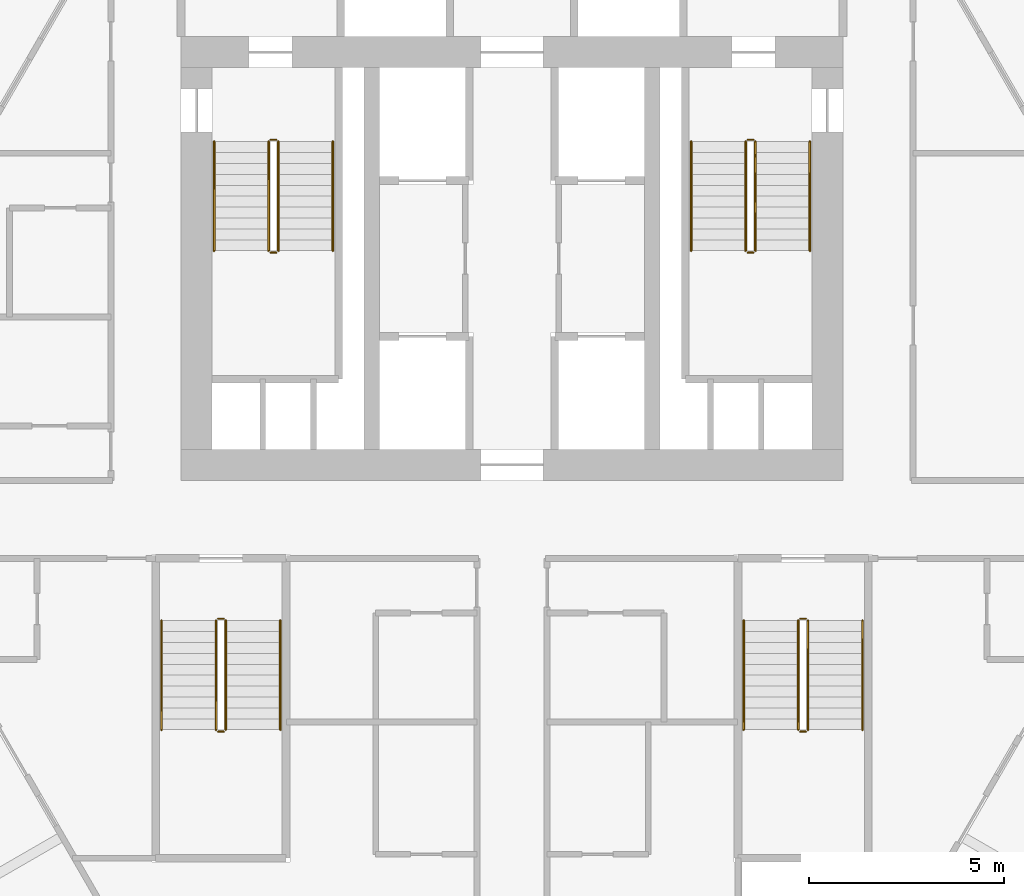
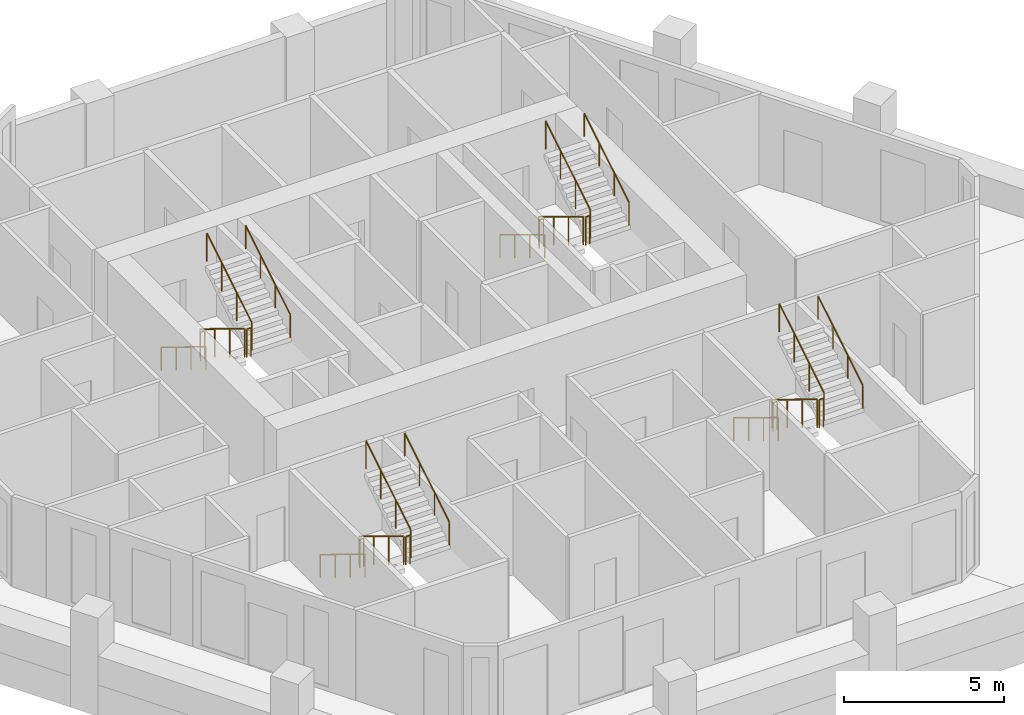
# One storey, part 7 of 7: 24 railings.
"""IFC4 building model written with IfcOpenShell, lengths in metres."""

import ifcopenshell
import ifcopenshell.guid

model = None  # the IFC model being written
_history = None  # IfcOwnerHistory: only IFC2X3 demands one
_inside = {}  # id of a spatial element -> (the spatial element, [elements in it])
_under = {}  # id of a project, library or spatial element -> (it, [spatial elements below it])
_declared = {}  # id of a project -> (the project, [libraries it declares])
_typed = {}  # id of a type object -> (the type object, [elements of that type])
_made_of = {}  # id of a material, layer set ... -> (it, [elements and type objects made of it])


def new_model(schema):
    """Start an empty IFC model of exactly this schema.

    Asked for "IFC4X3", IfcOpenShell would pick the latest addendum, in which some entities
    have other attributes; the version numbers below select the first issue.
    IFC2X3 requires an IfcOwnerHistory on every rooted entity: one is made here for all.
    """
    global model, _history
    if schema == "IFC4X3":
        model = ifcopenshell.file(schema_version=(4, 3, 0, 0))
    else:
        model = ifcopenshell.file(schema=schema)
    _inside.clear()
    _under.clear()
    _declared.clear()
    _typed.clear()
    _made_of.clear()
    _history = None
    if model.schema == "IFC2X3":
        org = make("IfcOrganization", Name="unknown")
        user = make(
            "IfcPersonAndOrganization",
            ThePerson=make("IfcPerson", FamilyName="unknown"),
            TheOrganization=org,
        )
        app = make(
            "IfcApplication",
            ApplicationDeveloper=org,
            Version="unknown",
            ApplicationFullName="unknown",
            ApplicationIdentifier="unknown",
        )
        _history = make(
            "IfcOwnerHistory",
            OwningUser=user,
            OwningApplication=app,
            ChangeAction="ADDED",
            CreationDate=0,
        )
    return model


def make(cls, **values):
    """One entity of the class cls with the attributes given. An attribute that is None is left unset."""
    return model.create_entity(
        cls, **{name: value for name, value in values.items() if value is not None}
    )


def rooted(cls, **values):
    """An entity with a GlobalId (a new one), such as an element, a storey or a relation."""
    return make(cls, GlobalId=ifcopenshell.guid.new(), OwnerHistory=_history, **values)


def si_unit(unit_type, name, prefix=None):
    """IfcSIUnit, for example si_unit("LENGTHUNIT", "METRE", prefix="MILLI")."""
    return make("IfcSIUnit", UnitType=unit_type, Prefix=prefix, Name=name)


def assignment(units):
    """IfcUnitAssignment: the units of a project."""
    return None if units is None else make("IfcUnitAssignment", Units=units)


def point(xyz):
    """IfcCartesianPoint."""
    return None if xyz is None else make("IfcCartesianPoint", Coordinates=xyz)


def direction(xyz):
    """IfcDirection."""
    return None if xyz is None else make("IfcDirection", DirectionRatios=xyz)


def frame(location, z_axis=None, x_axis=None):
    """IfcAxis2Placement3D, a coordinate frame: its origin and axes. An axis left out is left unset."""
    return make(
        "IfcAxis2Placement3D",
        Location=point(location),
        Axis=direction(z_axis),
        RefDirection=direction(x_axis),
    )


def frame_2d(location, x_axis=None):
    """IfcAxis2Placement2D, a coordinate frame in the plane: its origin and x axis."""
    return make(
        "IfcAxis2Placement2D", Location=point(location), RefDirection=direction(x_axis)
    )


def origin():
    """The frame at (0, 0, 0) with its axes left unset."""
    return frame((0.0, 0.0, 0.0))


def origin_2d():
    """The frame at (0, 0) in the plane with its x axis left unset."""
    return frame_2d((0.0, 0.0))


def place(relative_to, where):
    """IfcLocalPlacement: puts the frame where relative to a parent placement (None: the world)."""
    return make(
        "IfcLocalPlacement", PlacementRelTo=relative_to, RelativePlacement=where
    )


def context(
    kind, dimensions, precision=None, world=None, true_north=None, identifier=None
):
    """IfcGeometricRepresentationContext, for example the 3D "Model" context."""
    return make(
        "IfcGeometricRepresentationContext",
        ContextIdentifier=identifier,
        ContextType=kind,
        CoordinateSpaceDimension=dimensions,
        Precision=precision,
        WorldCoordinateSystem=world,
        TrueNorth=true_north,
    )


def subcontext(parent, identifier, kind, view, scale=None):
    """IfcGeometricRepresentationSubContext, for example "Body" below "Model"."""
    return make(
        "IfcGeometricRepresentationSubContext",
        ContextIdentifier=identifier,
        ContextType=kind,
        ParentContext=parent,
        TargetScale=scale,
        TargetView=view,
    )


def project(units=None, contexts=None):
    """IfcProject with its units and contexts."""
    return rooted(
        "IfcProject",
        Name="project",
        RepresentationContexts=contexts,
        UnitsInContext=assignment(units),
    )


def spatial(cls, under=None, at=None, **own):
    """A site, building, storey or space (cls), placed at a placement, below another one or the project."""
    s = rooted(cls, ObjectPlacement=at, **own)
    if under is not None:
        _under.setdefault(under.id(), (under, []))[1].append(s)
    return s


def profile(cls, at=None, kind="AREA", **sizes):
    """A parametric profile (cls). Its sizes go by their IFC names, for example OverallWidth=200.0."""
    return make(cls, ProfileType=kind, Position=at, **sizes)


def circle(**sizes):
    """IfcCircleProfileDef."""
    return profile("IfcCircleProfileDef", **sizes)


def extrude(swept, where, along, depth):
    """IfcExtrudedAreaSolid: the profile swept, set in the frame where, extruded along a direction by depth."""
    return make(
        "IfcExtrudedAreaSolid",
        SweptArea=swept,
        Position=where,
        ExtrudedDirection=direction(along),
        Depth=depth,
    )


def shape(context_of_items, identifier, shape_type, items):
    """IfcShapeRepresentation: the items that make up one representation, for example the "Body"."""
    return make(
        "IfcShapeRepresentation",
        ContextOfItems=context_of_items,
        RepresentationIdentifier=identifier,
        RepresentationType=shape_type,
        Items=items,
    )


def material(Name=None, Category=None):
    """IfcMaterial."""
    return make("IfcMaterial", Name=Name, Category=Category)


def made_of(thing, what):
    """Note that an element or type object is made of a material, layer set ...; save() writes the relation."""
    if what is not None:
        _made_of.setdefault(what.id(), (what, []))[1].append(thing)
    return thing


def type_object(cls, material=None, **own):
    """A type object (cls), such as IfcWallType, which elements share."""
    return made_of(rooted(cls, **own), material)


def element(
    cls,
    number,
    at=None,
    inside=None,
    cuts=None,
    type_object=None,
    material=None,
    context=None,
    identifier="Body",
    shape_type=None,
    held_by="IfcProductDefinitionShape",
    body=None,
    shapes=None,
    **own,
):
    """One element of the class cls, such as IfcWall. Its Tag is "e" and its number.

    at: its placement. inside: the storey or other place that contains it. cuts: it is an
    opening in that element (IfcRelVoidsElement). A single representation is given by context,
    identifier, shape_type and body (its items); several are given by shapes. held_by: the class
    of the entity that holds the representations. save() writes the other relations.
    """
    e = rooted(cls, Tag="e%d" % number, ObjectPlacement=at, **own)
    if body is not None:
        shapes = [shape(context, identifier, shape_type, body)]
    if shapes is not None:
        e.Representation = make(held_by, Representations=shapes)
    if inside is not None:
        _inside.setdefault(inside.id(), (inside, []))[1].append(e)
    if cuts is not None:
        rooted(
            "IfcRelVoidsElement", RelatingBuildingElement=cuts, RelatedOpeningElement=e
        )
    if type_object is not None:
        _typed.setdefault(type_object.id(), (type_object, []))[1].append(e)
    return made_of(e, material)


def aggregate(whole, parts):
    """IfcRelAggregates: a whole, such as a stair, and the parts it consists of."""
    return rooted("IfcRelAggregates", RelatingObject=whole, RelatedObjects=parts)


def save(model, path):
    """Write the relations noted so far, then the file.

    IfcRelAggregates (storeys below a building ...), IfcRelContainedInSpatialStructure (elements
    in a storey), IfcRelDefinesByType, IfcRelAssociatesMaterial and IfcRelDeclares: one each for
    every whole, place, type object, material and project.
    """
    for whole, parts in _under.values():
        aggregate(whole, parts)
    for where, things in _inside.values():
        rooted(
            "IfcRelContainedInSpatialStructure",
            RelatedElements=things,
            RelatingStructure=where,
        )
    for kind, things in _typed.values():
        rooted("IfcRelDefinesByType", RelatedObjects=things, RelatingType=kind)
    for what, things in _made_of.values():
        rooted("IfcRelAssociatesMaterial", RelatedObjects=things, RelatingMaterial=what)
    for by, libraries in _declared.values():
        rooted("IfcRelDeclares", RelatingContext=by, RelatedDefinitions=libraries)
    model.write(path)


model = new_model("IFC4")

# Units and contexts
model_context = context("Model", 3, precision=1e-05, world=origin(), true_north=direction((0.0, 1.0)))
body_context = subcontext(model_context, "Body", "Model", "MODEL_VIEW")
ifc_project = project(units=[si_unit("LENGTHUNIT", "METRE"), si_unit("AREAUNIT", "SQUARE_METRE"), si_unit("VOLUMEUNIT", "CUBIC_METRE"), si_unit("PLANEANGLEUNIT", "RADIAN"), si_unit("MASSUNIT", "GRAM", prefix="KILO")], contexts=[model_context])

# Site, building, storey
site_placement = place(None, origin())
site = spatial("IfcSite", under=ifc_project, at=site_placement, CompositionType="ELEMENT")
building_placement = place(site_placement, origin())
building = spatial("IfcBuilding", under=site, at=building_placement, Name="Ostrander Bayou Hotel Tower", CompositionType="ELEMENT")
storey_placement = place(building_placement, frame((0.0, 0.0, 157.0)))
storey = spatial("IfcBuildingStorey", under=building, at=storey_placement, Name="L38", CompositionType="ELEMENT", Elevation=157.0)

# Railings
ifc_material_1 = material(Name="Steel ASTM A500 Gr C", Category="steel")
railing_type_1 = type_object("IfcRailingType", Name="GR1 stair guard 1100 mm steel", PredefinedType="GUARDRAIL", material=ifc_material_1)
railing_1_placement = place(storey_placement, frame((-6.25, 7.0, 0.17041015625)))
element("IfcRailing", 1, at=railing_1_placement, inside=storey, type_object=railing_type_1, Name="L38 STA stair guard 1", PredefinedType="GUARDRAIL", context=body_context, shape_type="SweptSolid", body=[
    extrude(circle(Radius=0.02392578125, at=origin_2d()), frame((0.0, 0.0, 1.076171875), z_axis=(0.0, -0.854169791009, 0.51999420009), x_axis=(1.0, 0.0, 0.0)), (0.0, 0.0, 1.0), 3.278076171875),
    extrude(circle(Radius=0.02099609375, at=origin_2d()), origin(), (0.0, 0.0, 1.0), 1.052001953125),
    extrude(circle(Radius=0.02099609375, at=origin_2d()), frame((0.0, -0.933349609375, 0.568115234375)), (0.0, 0.0, 1.0), 1.052001953125),
    extrude(circle(Radius=0.02099609375, at=origin_2d()), frame((0.0, -1.86669921875, 1.136474609375)), (0.0, 0.0, 1.0), 1.052001953125),
    extrude(circle(Radius=0.02099609375, at=origin_2d()), frame((0.0, -2.800048828125, 1.70458984375)), (0.0, 0.0, 1.0), 1.052001953125),
])
railing_2_placement = place(storey_placement, frame((-6.199951171875, 4.14990234375, 1.875)))
element("IfcRailing", 2, at=railing_2_placement, inside=storey, type_object=railing_type_1, Name="L38 STA stair guard 2", PredefinedType="GUARDRAIL", context=body_context, shape_type="SweptSolid", body=[
    extrude(circle(Radius=0.02392578125, at=origin_2d()), frame((0.0, 0.0, 1.076171875), z_axis=(1.0, 0.0, 0.0), x_axis=(0.0, 1.0, 0.0)), (0.0, 0.0, 1.0), 0.14990234375),
    extrude(circle(Radius=0.02099609375, at=origin_2d()), origin(), (0.0, 0.0, 1.0), 1.052001953125),
    extrude(circle(Radius=0.02099609375, at=origin_2d()), frame((0.14990234375, 0.0, 0.0)), (0.0, 0.0, 1.0), 1.052001953125),
])
railing_3_placement = place(storey_placement, frame((-6.0, 4.199951171875, 2.04541015625)))
element("IfcRailing", 3, at=railing_3_placement, inside=storey, type_object=railing_type_1, Name="L38 STA stair guard 3", PredefinedType="GUARDRAIL", context=body_context, shape_type="SweptSolid", body=[
    extrude(circle(Radius=0.02392578125, at=origin_2d()), frame((0.0, 0.0, 1.076171875), z_axis=(0.0, 0.854169791009, 0.51999420009), x_axis=(-1.0, 0.0, 0.0)), (0.0, 0.0, 1.0), 3.278076171875),
    extrude(circle(Radius=0.02099609375, at=origin_2d()), origin(), (0.0, 0.0, 1.0), 1.052001953125),
    extrude(circle(Radius=0.02099609375, at=origin_2d()), frame((0.0, 0.933349609375, 0.568115234375)), (0.0, 0.0, 1.0), 1.052001953125),
    extrude(circle(Radius=0.02099609375, at=origin_2d()), frame((0.0, 1.86669921875, 1.136474609375)), (0.0, 0.0, 1.0), 1.052001953125),
    extrude(circle(Radius=0.02099609375, at=origin_2d()), frame((0.0, 2.800048828125, 1.70458984375)), (0.0, 0.0, 1.0), 1.052001953125),
])
railing_4_placement = place(storey_placement, frame((-6.199951171875, 7.050048828125, 0.0)))
element("IfcRailing", 4, at=railing_4_placement, inside=storey, type_object=railing_type_1, Name="L38 STA stair guard 4", PredefinedType="GUARDRAIL", context=body_context, shape_type="SweptSolid", body=[
    extrude(circle(Radius=0.02392578125, at=origin_2d()), frame((0.0, 0.0, 1.076171875), z_axis=(1.0, 0.0, 0.0), x_axis=(0.0, 1.0, 0.0)), (0.0, 0.0, 1.0), 0.14990234375),
    extrude(circle(Radius=0.02099609375, at=origin_2d()), origin(), (0.0, 0.0, 1.0), 1.052001953125),
    extrude(circle(Radius=0.02099609375, at=origin_2d()), frame((0.14990234375, 0.0, 0.0)), (0.0, 0.0, 1.0), 1.052001953125),
])
railing_5_placement = place(storey_placement, frame((6.0, 7.0, 0.17041015625)))
element("IfcRailing", 5, at=railing_5_placement, inside=storey, type_object=railing_type_1, Name="L38 STB stair guard 1", PredefinedType="GUARDRAIL", context=body_context, shape_type="SweptSolid", body=[
    extrude(circle(Radius=0.02392578125, at=origin_2d()), frame((0.0, 0.0, 1.076171875), z_axis=(0.0, -0.854169791009, 0.51999420009), x_axis=(1.0, 0.0, 0.0)), (0.0, 0.0, 1.0), 3.278076171875),
    extrude(circle(Radius=0.02099609375, at=origin_2d()), origin(), (0.0, 0.0, 1.0), 1.052001953125),
    extrude(circle(Radius=0.02099609375, at=origin_2d()), frame((0.0, -0.933349609375, 0.568115234375)), (0.0, 0.0, 1.0), 1.052001953125),
    extrude(circle(Radius=0.02099609375, at=origin_2d()), frame((0.0, -1.86669921875, 1.136474609375)), (0.0, 0.0, 1.0), 1.052001953125),
    extrude(circle(Radius=0.02099609375, at=origin_2d()), frame((0.0, -2.800048828125, 1.70458984375)), (0.0, 0.0, 1.0), 1.052001953125),
])
railing_6_placement = place(storey_placement, frame((6.050048828125, 4.14990234375, 1.875)))
element("IfcRailing", 6, at=railing_6_placement, inside=storey, type_object=railing_type_1, Name="L38 STB stair guard 2", PredefinedType="GUARDRAIL", context=body_context, shape_type="SweptSolid", body=[
    extrude(circle(Radius=0.02392578125, at=origin_2d()), frame((0.0, 0.0, 1.076171875), z_axis=(1.0, 0.0, 0.0), x_axis=(0.0, 1.0, 0.0)), (0.0, 0.0, 1.0), 0.14990234375),
    extrude(circle(Radius=0.02099609375, at=origin_2d()), origin(), (0.0, 0.0, 1.0), 1.052001953125),
    extrude(circle(Radius=0.02099609375, at=origin_2d()), frame((0.14990234375, 0.0, 0.0)), (0.0, 0.0, 1.0), 1.052001953125),
])
railing_7_placement = place(storey_placement, frame((6.25, 4.199951171875, 2.04541015625)))
element("IfcRailing", 7, at=railing_7_placement, inside=storey, type_object=railing_type_1, Name="L38 STB stair guard 3", PredefinedType="GUARDRAIL", context=body_context, shape_type="SweptSolid", body=[
    extrude(circle(Radius=0.02392578125, at=origin_2d()), frame((0.0, 0.0, 1.076171875), z_axis=(0.0, 0.854169791009, 0.51999420009), x_axis=(-1.0, 0.0, 0.0)), (0.0, 0.0, 1.0), 3.278076171875),
    extrude(circle(Radius=0.02099609375, at=origin_2d()), origin(), (0.0, 0.0, 1.0), 1.052001953125),
    extrude(circle(Radius=0.02099609375, at=origin_2d()), frame((0.0, 0.933349609375, 0.568115234375)), (0.0, 0.0, 1.0), 1.052001953125),
    extrude(circle(Radius=0.02099609375, at=origin_2d()), frame((0.0, 1.86669921875, 1.136474609375)), (0.0, 0.0, 1.0), 1.052001953125),
    extrude(circle(Radius=0.02099609375, at=origin_2d()), frame((0.0, 2.800048828125, 1.70458984375)), (0.0, 0.0, 1.0), 1.052001953125),
])
railing_8_placement = place(storey_placement, frame((6.050048828125, 7.050048828125, 0.0)))
element("IfcRailing", 8, at=railing_8_placement, inside=storey, type_object=railing_type_1, Name="L38 STB stair guard 4", PredefinedType="GUARDRAIL", context=body_context, shape_type="SweptSolid", body=[
    extrude(circle(Radius=0.02392578125, at=origin_2d()), frame((0.0, 0.0, 1.076171875), z_axis=(1.0, 0.0, 0.0), x_axis=(0.0, 1.0, 0.0)), (0.0, 0.0, 1.0), 0.14990234375),
    extrude(circle(Radius=0.02099609375, at=origin_2d()), origin(), (0.0, 0.0, 1.0), 1.052001953125),
    extrude(circle(Radius=0.02099609375, at=origin_2d()), frame((0.14990234375, 0.0, 0.0)), (0.0, 0.0, 1.0), 1.052001953125),
])
railing_9_placement = place(storey_placement, frame((7.35009765625, -5.300048828125, 0.17041015625)))
element("IfcRailing", 9, at=railing_9_placement, inside=storey, type_object=railing_type_1, Name="L38 STC stair guard 1", PredefinedType="GUARDRAIL", context=body_context, shape_type="SweptSolid", body=[
    extrude(circle(Radius=0.02392578125, at=origin_2d()), frame((0.0, 0.0, 1.076171875), z_axis=(0.0, -0.854169791009, 0.51999420009), x_axis=(1.0, 0.0, 0.0)), (0.0, 0.0, 1.0), 3.278076171875),
    extrude(circle(Radius=0.02099609375, at=origin_2d()), origin(), (0.0, 0.0, 1.0), 1.052001953125),
    extrude(circle(Radius=0.02099609375, at=origin_2d()), frame((0.0, -0.933349609375, 0.568115234375)), (0.0, 0.0, 1.0), 1.052001953125),
    extrude(circle(Radius=0.02099609375, at=origin_2d()), frame((0.0, -1.86669921875, 1.136474609375)), (0.0, 0.0, 1.0), 1.052001953125),
    extrude(circle(Radius=0.02099609375, at=origin_2d()), frame((0.0, -2.800048828125, 1.70458984375)), (0.0, 0.0, 1.0), 1.052001953125),
])
railing_10_placement = place(storey_placement, frame((7.39990234375, -8.14990234375, 1.875)))
element("IfcRailing", 10, at=railing_10_placement, inside=storey, type_object=railing_type_1, Name="L38 STC stair guard 2", PredefinedType="GUARDRAIL", context=body_context, shape_type="SweptSolid", body=[
    extrude(circle(Radius=0.02392578125, at=origin_2d()), frame((0.0, 0.0, 1.076171875), z_axis=(1.0, 0.0, 0.0), x_axis=(0.0, 1.0, 0.0)), (0.0, 0.0, 1.0), 0.150146484375),
    extrude(circle(Radius=0.02099609375, at=origin_2d()), origin(), (0.0, 0.0, 1.0), 1.052001953125),
    extrude(circle(Radius=0.02099609375, at=origin_2d()), frame((0.150146484375, 0.0, 0.0)), (0.0, 0.0, 1.0), 1.052001953125),
])
railing_11_placement = place(storey_placement, frame((7.60009765625, -8.10009765625, 2.04541015625)))
element("IfcRailing", 11, at=railing_11_placement, inside=storey, type_object=railing_type_1, Name="L38 STC stair guard 3", PredefinedType="GUARDRAIL", context=body_context, shape_type="SweptSolid", body=[
    extrude(circle(Radius=0.02392578125, at=origin_2d()), frame((0.0, 0.0, 1.076171875), z_axis=(0.0, 0.854169791009, 0.51999420009), x_axis=(-1.0, 0.0, 0.0)), (0.0, 0.0, 1.0), 3.278076171875),
    extrude(circle(Radius=0.02099609375, at=origin_2d()), origin(), (0.0, 0.0, 1.0), 1.052001953125),
    extrude(circle(Radius=0.02099609375, at=origin_2d()), frame((0.0, 0.933349609375, 0.568115234375)), (0.0, 0.0, 1.0), 1.052001953125),
    extrude(circle(Radius=0.02099609375, at=origin_2d()), frame((0.0, 1.86669921875, 1.136474609375)), (0.0, 0.0, 1.0), 1.052001953125),
    extrude(circle(Radius=0.02099609375, at=origin_2d()), frame((0.0, 2.800048828125, 1.70458984375)), (0.0, 0.0, 1.0), 1.052001953125),
])
railing_12_placement = place(storey_placement, frame((7.39990234375, -5.25, 0.0)))
element("IfcRailing", 12, at=railing_12_placement, inside=storey, type_object=railing_type_1, Name="L38 STC stair guard 4", PredefinedType="GUARDRAIL", context=body_context, shape_type="SweptSolid", body=[
    extrude(circle(Radius=0.02392578125, at=origin_2d()), frame((0.0, 0.0, 1.076171875), z_axis=(1.0, 0.0, 0.0), x_axis=(0.0, 1.0, 0.0)), (0.0, 0.0, 1.0), 0.150146484375),
    extrude(circle(Radius=0.02099609375, at=origin_2d()), origin(), (0.0, 0.0, 1.0), 1.052001953125),
    extrude(circle(Radius=0.02099609375, at=origin_2d()), frame((0.150146484375, 0.0, 0.0)), (0.0, 0.0, 1.0), 1.052001953125),
])
railing_13_placement = place(storey_placement, frame((-7.60009765625, -5.300048828125, 0.17041015625)))
element("IfcRailing", 13, at=railing_13_placement, inside=storey, type_object=railing_type_1, Name="L38 STD stair guard 1", PredefinedType="GUARDRAIL", context=body_context, shape_type="SweptSolid", body=[
    extrude(circle(Radius=0.02392578125, at=origin_2d()), frame((0.0, 0.0, 1.076171875), z_axis=(0.0, -0.854169791009, 0.51999420009), x_axis=(1.0, 0.0, 0.0)), (0.0, 0.0, 1.0), 3.278076171875),
    extrude(circle(Radius=0.02099609375, at=origin_2d()), origin(), (0.0, 0.0, 1.0), 1.052001953125),
    extrude(circle(Radius=0.02099609375, at=origin_2d()), frame((0.0, -0.933349609375, 0.568115234375)), (0.0, 0.0, 1.0), 1.052001953125),
    extrude(circle(Radius=0.02099609375, at=origin_2d()), frame((0.0, -1.86669921875, 1.136474609375)), (0.0, 0.0, 1.0), 1.052001953125),
    extrude(circle(Radius=0.02099609375, at=origin_2d()), frame((0.0, -2.800048828125, 1.70458984375)), (0.0, 0.0, 1.0), 1.052001953125),
])
railing_14_placement = place(storey_placement, frame((-7.550048828125, -8.14990234375, 1.875)))
element("IfcRailing", 14, at=railing_14_placement, inside=storey, type_object=railing_type_1, Name="L38 STD stair guard 2", PredefinedType="GUARDRAIL", context=body_context, shape_type="SweptSolid", body=[
    extrude(circle(Radius=0.02392578125, at=origin_2d()), frame((0.0, 0.0, 1.076171875), z_axis=(1.0, 0.0, 0.0), x_axis=(0.0, 1.0, 0.0)), (0.0, 0.0, 1.0), 0.150146484375),
    extrude(circle(Radius=0.02099609375, at=origin_2d()), origin(), (0.0, 0.0, 1.0), 1.052001953125),
    extrude(circle(Radius=0.02099609375, at=origin_2d()), frame((0.150146484375, 0.0, 0.0)), (0.0, 0.0, 1.0), 1.052001953125),
])
railing_15_placement = place(storey_placement, frame((-7.35009765625, -8.10009765625, 2.04541015625)))
element("IfcRailing", 15, at=railing_15_placement, inside=storey, type_object=railing_type_1, Name="L38 STD stair guard 3", PredefinedType="GUARDRAIL", context=body_context, shape_type="SweptSolid", body=[
    extrude(circle(Radius=0.02392578125, at=origin_2d()), frame((0.0, 0.0, 1.076171875), z_axis=(0.0, 0.854169791009, 0.51999420009), x_axis=(-1.0, 0.0, 0.0)), (0.0, 0.0, 1.0), 3.278076171875),
    extrude(circle(Radius=0.02099609375, at=origin_2d()), origin(), (0.0, 0.0, 1.0), 1.052001953125),
    extrude(circle(Radius=0.02099609375, at=origin_2d()), frame((0.0, 0.933349609375, 0.568115234375)), (0.0, 0.0, 1.0), 1.052001953125),
    extrude(circle(Radius=0.02099609375, at=origin_2d()), frame((0.0, 1.86669921875, 1.136474609375)), (0.0, 0.0, 1.0), 1.052001953125),
    extrude(circle(Radius=0.02099609375, at=origin_2d()), frame((0.0, 2.800048828125, 1.70458984375)), (0.0, 0.0, 1.0), 1.052001953125),
])
railing_16_placement = place(storey_placement, frame((-7.550048828125, -5.25, 0.0)))
element("IfcRailing", 16, at=railing_16_placement, inside=storey, type_object=railing_type_1, Name="L38 STD stair guard 4", PredefinedType="GUARDRAIL", context=body_context, shape_type="SweptSolid", body=[
    extrude(circle(Radius=0.02392578125, at=origin_2d()), frame((0.0, 0.0, 1.076171875), z_axis=(1.0, 0.0, 0.0), x_axis=(0.0, 1.0, 0.0)), (0.0, 0.0, 1.0), 0.150146484375),
    extrude(circle(Radius=0.02099609375, at=origin_2d()), origin(), (0.0, 0.0, 1.0), 1.052001953125),
    extrude(circle(Radius=0.02099609375, at=origin_2d()), frame((0.150146484375, 0.0, 0.0)), (0.0, 0.0, 1.0), 1.052001953125),
])
ifc_material_2 = material(Name="Steel ASTM A500 Gr C", Category="steel")
railing_type_2 = type_object("IfcRailingType", Name="HR1 stair handrail 900 mm steel", PredefinedType="HANDRAIL", material=ifc_material_2)
railing_17_placement = place(storey_placement, frame((-7.64990234375, 7.0, 0.17041015625)))
element("IfcRailing", 17, at=railing_17_placement, inside=storey, type_object=railing_type_2, Name="L38 STA stair handrail 1", PredefinedType="HANDRAIL", context=body_context, shape_type="SweptSolid", body=[
    extrude(circle(Radius=0.02392578125, at=origin_2d()), frame((0.0, 0.0, 0.8759765625), z_axis=(0.0, -0.854169791009, 0.51999420009), x_axis=(1.0, 0.0, 0.0)), (0.0, 0.0, 1.0), 3.278076171875),
    extrude(circle(Radius=0.02099609375, at=origin_2d()), origin(), (0.0, 0.0, 1.0), 0.851806640625),
    extrude(circle(Radius=0.02099609375, at=origin_2d()), frame((0.0, -0.933349609375, 0.568115234375)), (0.0, 0.0, 1.0), 0.851806640625),
    extrude(circle(Radius=0.02099609375, at=origin_2d()), frame((0.0, -1.86669921875, 1.136474609375)), (0.0, 0.0, 1.0), 0.851806640625),
    extrude(circle(Radius=0.02099609375, at=origin_2d()), frame((0.0, -2.800048828125, 1.70458984375)), (0.0, 0.0, 1.0), 0.851806640625),
])
railing_18_placement = place(storey_placement, frame((-4.60009765625, 4.199951171875, 2.04541015625)))
element("IfcRailing", 18, at=railing_18_placement, inside=storey, type_object=railing_type_2, Name="L38 STA stair handrail 2", PredefinedType="HANDRAIL", context=body_context, shape_type="SweptSolid", body=[
    extrude(circle(Radius=0.02392578125, at=origin_2d()), frame((0.0, 0.0, 0.8759765625), z_axis=(0.0, 0.854169791009, 0.51999420009), x_axis=(-1.0, 0.0, 0.0)), (0.0, 0.0, 1.0), 3.278076171875),
    extrude(circle(Radius=0.02099609375, at=origin_2d()), origin(), (0.0, 0.0, 1.0), 0.851806640625),
    extrude(circle(Radius=0.02099609375, at=origin_2d()), frame((0.0, 0.933349609375, 0.568115234375)), (0.0, 0.0, 1.0), 0.851806640625),
    extrude(circle(Radius=0.02099609375, at=origin_2d()), frame((0.0, 1.86669921875, 1.136474609375)), (0.0, 0.0, 1.0), 0.851806640625),
    extrude(circle(Radius=0.02099609375, at=origin_2d()), frame((0.0, 2.800048828125, 1.70458984375)), (0.0, 0.0, 1.0), 0.851806640625),
])
railing_19_placement = place(storey_placement, frame((4.60009765625, 7.0, 0.17041015625)))
element("IfcRailing", 19, at=railing_19_placement, inside=storey, type_object=railing_type_2, Name="L38 STB stair handrail 1", PredefinedType="HANDRAIL", context=body_context, shape_type="SweptSolid", body=[
    extrude(circle(Radius=0.02392578125, at=origin_2d()), frame((0.0, 0.0, 0.8759765625), z_axis=(0.0, -0.854169791009, 0.51999420009), x_axis=(1.0, 0.0, 0.0)), (0.0, 0.0, 1.0), 3.278076171875),
    extrude(circle(Radius=0.02099609375, at=origin_2d()), origin(), (0.0, 0.0, 1.0), 0.851806640625),
    extrude(circle(Radius=0.02099609375, at=origin_2d()), frame((0.0, -0.933349609375, 0.568115234375)), (0.0, 0.0, 1.0), 0.851806640625),
    extrude(circle(Radius=0.02099609375, at=origin_2d()), frame((0.0, -1.86669921875, 1.136474609375)), (0.0, 0.0, 1.0), 0.851806640625),
    extrude(circle(Radius=0.02099609375, at=origin_2d()), frame((0.0, -2.800048828125, 1.70458984375)), (0.0, 0.0, 1.0), 0.851806640625),
])
railing_20_placement = place(storey_placement, frame((7.64990234375, 4.199951171875, 2.04541015625)))
element("IfcRailing", 20, at=railing_20_placement, inside=storey, type_object=railing_type_2, Name="L38 STB stair handrail 2", PredefinedType="HANDRAIL", context=body_context, shape_type="SweptSolid", body=[
    extrude(circle(Radius=0.02392578125, at=origin_2d()), frame((0.0, 0.0, 0.8759765625), z_axis=(0.0, 0.854169791009, 0.51999420009), x_axis=(-1.0, 0.0, 0.0)), (0.0, 0.0, 1.0), 3.278076171875),
    extrude(circle(Radius=0.02099609375, at=origin_2d()), origin(), (0.0, 0.0, 1.0), 0.851806640625),
    extrude(circle(Radius=0.02099609375, at=origin_2d()), frame((0.0, 0.933349609375, 0.568115234375)), (0.0, 0.0, 1.0), 0.851806640625),
    extrude(circle(Radius=0.02099609375, at=origin_2d()), frame((0.0, 1.86669921875, 1.136474609375)), (0.0, 0.0, 1.0), 0.851806640625),
    extrude(circle(Radius=0.02099609375, at=origin_2d()), frame((0.0, 2.800048828125, 1.70458984375)), (0.0, 0.0, 1.0), 0.851806640625),
])
railing_21_placement = place(storey_placement, frame((5.949951171875, -5.300048828125, 0.17041015625)))
element("IfcRailing", 21, at=railing_21_placement, inside=storey, type_object=railing_type_2, Name="L38 STC stair handrail 1", PredefinedType="HANDRAIL", context=body_context, shape_type="SweptSolid", body=[
    extrude(circle(Radius=0.02392578125, at=origin_2d()), frame((0.0, 0.0, 0.8759765625), z_axis=(0.0, -0.854169791009, 0.51999420009), x_axis=(1.0, 0.0, 0.0)), (0.0, 0.0, 1.0), 3.278076171875),
    extrude(circle(Radius=0.02099609375, at=origin_2d()), origin(), (0.0, 0.0, 1.0), 0.851806640625),
    extrude(circle(Radius=0.02099609375, at=origin_2d()), frame((0.0, -0.933349609375, 0.568115234375)), (0.0, 0.0, 1.0), 0.851806640625),
    extrude(circle(Radius=0.02099609375, at=origin_2d()), frame((0.0, -1.86669921875, 1.136474609375)), (0.0, 0.0, 1.0), 0.851806640625),
    extrude(circle(Radius=0.02099609375, at=origin_2d()), frame((0.0, -2.800048828125, 1.70458984375)), (0.0, 0.0, 1.0), 0.851806640625),
])
railing_22_placement = place(storey_placement, frame((9.0, -8.10009765625, 2.04541015625)))
element("IfcRailing", 22, at=railing_22_placement, inside=storey, type_object=railing_type_2, Name="L38 STC stair handrail 2", PredefinedType="HANDRAIL", context=body_context, shape_type="SweptSolid", body=[
    extrude(circle(Radius=0.02392578125, at=origin_2d()), frame((0.0, 0.0, 0.8759765625), z_axis=(0.0, 0.854169791009, 0.51999420009), x_axis=(-1.0, 0.0, 0.0)), (0.0, 0.0, 1.0), 3.278076171875),
    extrude(circle(Radius=0.02099609375, at=origin_2d()), origin(), (0.0, 0.0, 1.0), 0.851806640625),
    extrude(circle(Radius=0.02099609375, at=origin_2d()), frame((0.0, 0.933349609375, 0.568115234375)), (0.0, 0.0, 1.0), 0.851806640625),
    extrude(circle(Radius=0.02099609375, at=origin_2d()), frame((0.0, 1.86669921875, 1.136474609375)), (0.0, 0.0, 1.0), 0.851806640625),
    extrude(circle(Radius=0.02099609375, at=origin_2d()), frame((0.0, 2.800048828125, 1.70458984375)), (0.0, 0.0, 1.0), 0.851806640625),
])
railing_23_placement = place(storey_placement, frame((-9.0, -5.300048828125, 0.17041015625)))
element("IfcRailing", 23, at=railing_23_placement, inside=storey, type_object=railing_type_2, Name="L38 STD stair handrail 1", PredefinedType="HANDRAIL", context=body_context, shape_type="SweptSolid", body=[
    extrude(circle(Radius=0.02392578125, at=origin_2d()), frame((0.0, 0.0, 0.8759765625), z_axis=(0.0, -0.854169791009, 0.51999420009), x_axis=(1.0, 0.0, 0.0)), (0.0, 0.0, 1.0), 3.278076171875),
    extrude(circle(Radius=0.02099609375, at=origin_2d()), origin(), (0.0, 0.0, 1.0), 0.851806640625),
    extrude(circle(Radius=0.02099609375, at=origin_2d()), frame((0.0, -0.933349609375, 0.568115234375)), (0.0, 0.0, 1.0), 0.851806640625),
    extrude(circle(Radius=0.02099609375, at=origin_2d()), frame((0.0, -1.86669921875, 1.136474609375)), (0.0, 0.0, 1.0), 0.851806640625),
    extrude(circle(Radius=0.02099609375, at=origin_2d()), frame((0.0, -2.800048828125, 1.70458984375)), (0.0, 0.0, 1.0), 0.851806640625),
])
railing_24_placement = place(storey_placement, frame((-5.949951171875, -8.10009765625, 2.04541015625)))
element("IfcRailing", 24, at=railing_24_placement, inside=storey, type_object=railing_type_2, Name="L38 STD stair handrail 2", PredefinedType="HANDRAIL", context=body_context, shape_type="SweptSolid", body=[
    extrude(circle(Radius=0.02392578125, at=origin_2d()), frame((0.0, 0.0, 0.8759765625), z_axis=(0.0, 0.854169791009, 0.51999420009), x_axis=(-1.0, 0.0, 0.0)), (0.0, 0.0, 1.0), 3.278076171875),
    extrude(circle(Radius=0.02099609375, at=origin_2d()), origin(), (0.0, 0.0, 1.0), 0.851806640625),
    extrude(circle(Radius=0.02099609375, at=origin_2d()), frame((0.0, 0.933349609375, 0.568115234375)), (0.0, 0.0, 1.0), 0.851806640625),
    extrude(circle(Radius=0.02099609375, at=origin_2d()), frame((0.0, 1.86669921875, 1.136474609375)), (0.0, 0.0, 1.0), 0.851806640625),
    extrude(circle(Radius=0.02099609375, at=origin_2d()), frame((0.0, 2.800048828125, 1.70458984375)), (0.0, 0.0, 1.0), 0.851806640625),
])

save(model, "model.ifc")
